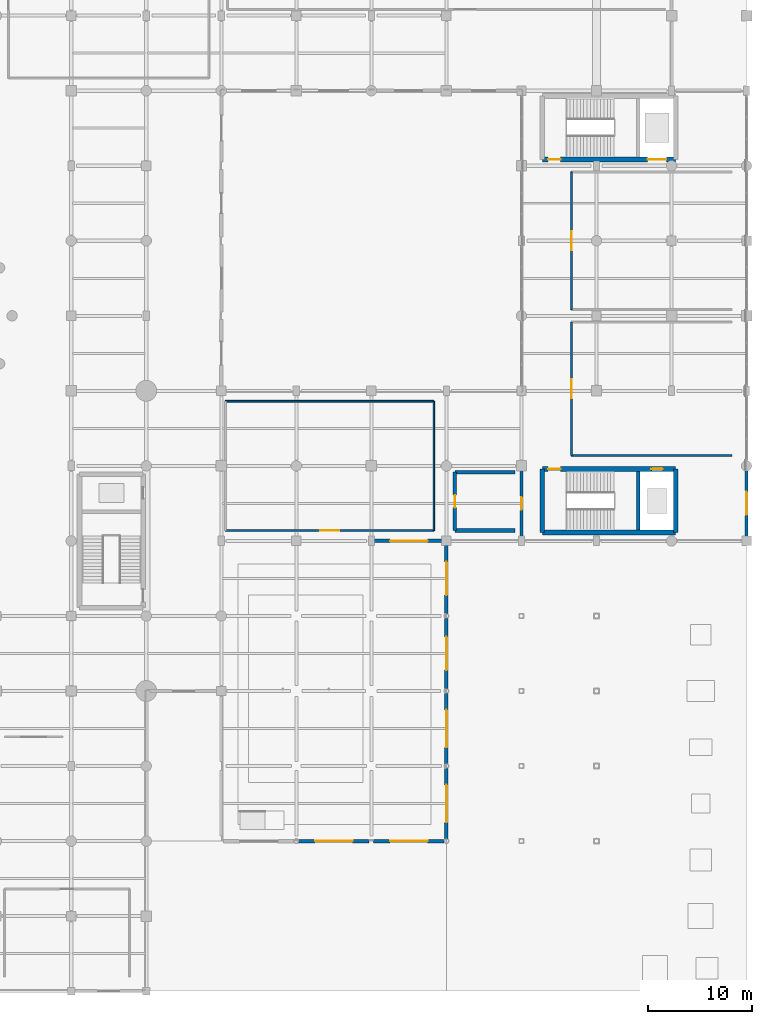
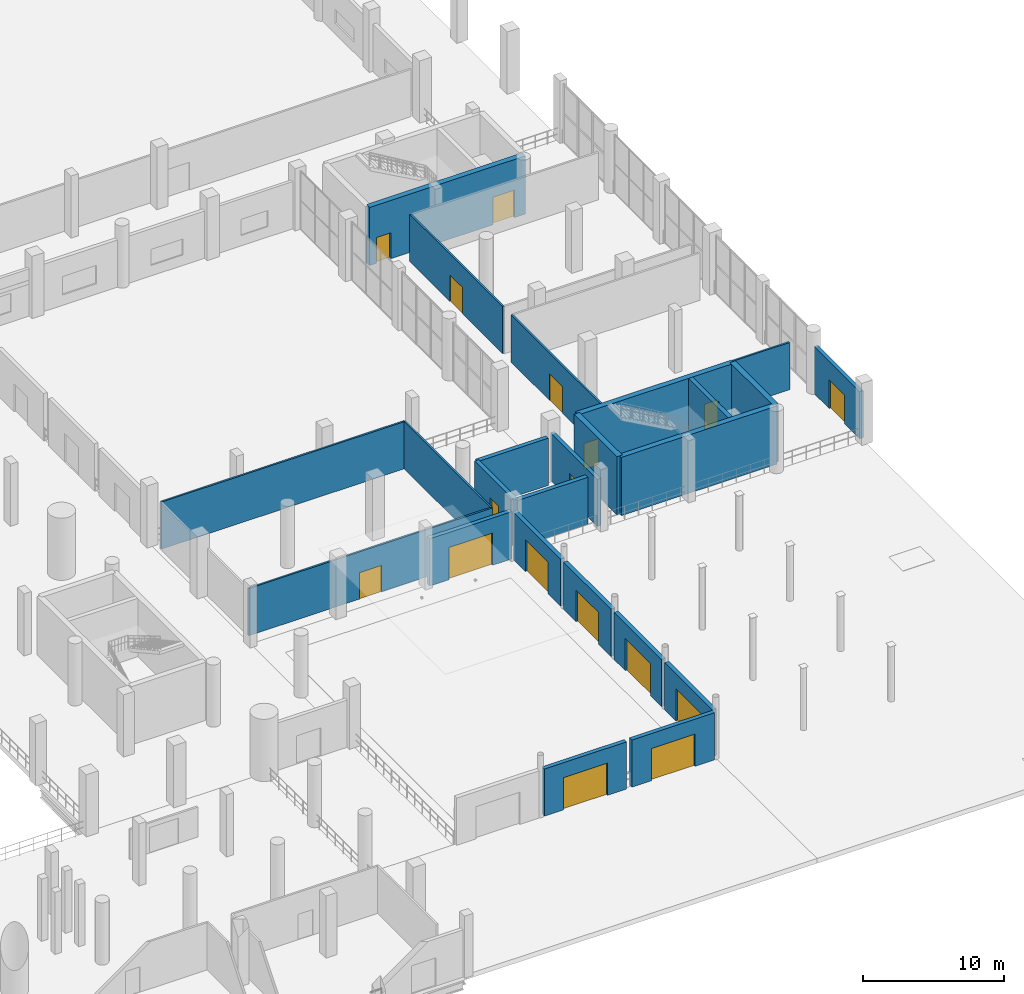
# One storey, part 39 of 58: 24 walls, 17 doors, 17 openings.
"""IFC4 building model written with IfcOpenShell, lengths in metres."""

from ifc_helpers import new_model, si_unit, direction, frame, frame_2d, origin, place, context, subcontext, project, spatial, rectangle, extrude, material, layer, layer_set, type_object, element, fill, save


model = new_model("IFC4")

# Units and contexts
model_context = context("Model", 3, precision=1e-05, world=origin(), true_north=direction((0.0, 1.0)))
body_context = subcontext(model_context, "Body", "Model", "MODEL_VIEW")
ifc_project = project(units=[si_unit("LENGTHUNIT", "METRE"), si_unit("AREAUNIT", "SQUARE_METRE"), si_unit("VOLUMEUNIT", "CUBIC_METRE"), si_unit("PLANEANGLEUNIT", "RADIAN"), si_unit("MASSUNIT", "GRAM", prefix="KILO")], contexts=[model_context])

# Site, building, storey
site_placement = place(None, origin())
site = spatial("IfcSite", under=ifc_project, at=site_placement, CompositionType="ELEMENT")
building_placement = place(site_placement, origin())
building = spatial("IfcBuilding", under=site, at=building_placement, Name="Qandorah Velis Arena", CompositionType="ELEMENT")
storey_placement = place(building_placement, origin())
storey = spatial("IfcBuildingStorey", under=building, at=storey_placement, Name="L00", CompositionType="ELEMENT", Elevation=0.0)

# Wall, opening, door
ifc_material_1 = material(Name="Precast concrete C40/50", Category="concrete")
ifc_layer_1 = layer(ifc_material_1, 0.31005859375)
ifc_layer_set_1 = layer_set([ifc_layer_1], Name="Precast concrete C40/50")
wall_type_1 = type_object("IfcWallType", Name="ARC-WAL-EXT310", PredefinedType="SOLIDWALL", material=ifc_layer_set_1)
wall_1_placement = place(storey_placement, frame((151.199951171875, 43.449951171875, 0.0), z_axis=(0.0, 0.0, 1.0), x_axis=(0.0, 1.0, 0.0)))
wall_1 = element("IfcWall", 1, at=wall_1_placement, inside=storey, type_object=wall_type_1, Name="Fire Command Centre exterior wall", PredefinedType="SOLIDWALL", context=body_context, shape_type="SweptSolid", body=[
    extrude(rectangle(XDim=6.699951171875, YDim=0.31005859375, at=frame_2d((3.35009765625, 0.0))), origin(), (0.0, 0.0, 1.0), 4.10009765625),
])
opening_1_placement = place(wall_1_placement, frame((2.75, 0.0, 0.0)))
opening_1 = element("IfcOpeningElement", 2, at=opening_1_placement, cuts=wall_1, Name="Opening FD3", PredefinedType="OPENING", context=body_context, shape_type="SweptSolid", body=[
    extrude(rectangle(XDim=1.199951171875, YDim=2.25, at=frame_2d((0.60009765625, 1.125))), frame((0.0, 0.1650390625, 0.0), z_axis=(0.0, -1.0, 0.0), x_axis=(1.0, 0.0, 0.0)), (0.0, 0.0, 1.0), 0.330078125),
])
ifc_material_2 = material(Name="Insulated fire-rated steel door", Category="steel")
door_type_1 = type_object("IfcDoorType", Name="ARC-DR-FCC1200", OperationType="NOTDEFINED", PredefinedType="DOOR", material=ifc_material_2)
door_1_placement = place(opening_1_placement, frame((1.199951171875, 0.0, 0.0), z_axis=(0.0, 0.0, 1.0), x_axis=(-1.0, 0.0, 0.0)))
door_1 = element("IfcDoor", 3, at=door_1_placement, inside=storey, type_object=door_type_1, Name="Fire Command Centre exterior entrance door", OperationType="SINGLE_SWING_RIGHT", OverallHeight=2.25, OverallWidth=1.199951171875, PredefinedType="DOOR", context=body_context, shape_type="SweptSolid", body=[
    extrude(rectangle(XDim=1.199951171875, YDim=2.25, at=frame_2d((0.60009765625, 1.125))), frame((0.0, 0.02490234375, 0.0), z_axis=(0.0, -1.0, 0.0), x_axis=(1.0, 0.0, 0.0)), (0.0, 0.0, 1.0), 0.050048828125),
])
fill(opening_1, door_1)

wall_2_placement = place(storey_placement, frame((172.800048828125, 43.550048828125, 0.0), z_axis=(0.0, 0.0, 1.0), x_axis=(0.0, 1.0, 0.0)))
wall_2 = element("IfcWall", 4, at=wall_2_placement, inside=storey, type_object=wall_type_1, Name="Perimeter concourse exit wall G26", PredefinedType="SOLIDWALL", context=body_context, shape_type="SweptSolid", body=[
    extrude(rectangle(XDim=6.5, YDim=0.31005859375, at=frame_2d((3.25, 0.0))), origin(), (0.0, 0.0, 1.0), 4.10009765625),
])
opening_2_placement = place(wall_2_placement, frame((2.14990234375, 0.0, 0.0)))
opening_2 = element("IfcOpeningElement", 5, at=opening_2_placement, cuts=wall_2, Name="Opening G26", PredefinedType="OPENING", context=body_context, shape_type="SweptSolid", body=[
    extrude(rectangle(XDim=2.199951171875, YDim=2.5, at=frame_2d((1.10009765625, 1.25))), frame((0.0, 0.1650390625, 0.0), z_axis=(0.0, -1.0, 0.0), x_axis=(1.0, 0.0, 0.0)), (0.0, 0.0, 1.0), 0.330078125),
])
ifc_material_3 = material(Name="Insulated galvanized steel exit door", Category="steel")
door_type_2 = type_object("IfcDoorType", Name="ARC-DR-EXT2200", OperationType="NOTDEFINED", PredefinedType="DOOR", material=ifc_material_3)
door_2_placement = place(opening_2_placement, frame((2.199951171875, 0.0, 0.0), z_axis=(0.0, 0.0, 1.0), x_axis=(-1.0, 0.0, 0.0)))
door_2 = element("IfcDoor", 6, at=door_2_placement, inside=storey, type_object=door_type_2, Name="Pedestrian exit door G26", OperationType="SINGLE_SWING_LEFT", OverallHeight=2.5, OverallWidth=2.199951171875, PredefinedType="DOOR", context=body_context, shape_type="SweptSolid", body=[
    extrude(rectangle(XDim=2.199951171875, YDim=2.5, at=frame_2d((1.10009765625, 1.25))), frame((0.0, 0.02490234375, 0.0), z_axis=(0.0, -1.0, 0.0), x_axis=(1.0, 0.0, 0.0)), (0.0, 0.0, 1.0), 0.050048828125),
])
fill(opening_2, door_2)

ifc_layer_2 = layer(ifc_material_1, 0.340087890625)
ifc_layer_set_2 = layer_set([ifc_layer_2], Name="Precast concrete C40/50")
wall_type_2 = type_object("IfcWallType", Name="ARC-WAL-EXT340", PredefinedType="SOLIDWALL", material=ifc_layer_set_2)
wall_3_placement = place(storey_placement, frame((129.820068359375, 14.39990234375, 0.0), z_axis=(0.0, 0.0, 1.0), x_axis=(1.0, 0.0, 0.0)))
wall_3 = element("IfcWall", 7, at=wall_3_placement, inside=storey, type_object=wall_type_2, Name="Arrival foyer entrance portal wall 2", PredefinedType="SOLIDWALL", context=body_context, shape_type="SweptSolid", body=[
    extrude(rectangle(XDim=6.760009765625, YDim=0.340087890625, at=frame_2d((3.3798828125, 0.0))), origin(), (0.0, 0.0, 1.0), 4.10009765625),
])
opening_3_placement = place(wall_3_placement, frame((1.580078125, 0.0, 0.0)))
opening_3 = element("IfcOpeningElement", 8, at=opening_3_placement, cuts=wall_3, Name="Opening E2", PredefinedType="OPENING", context=body_context, shape_type="SweptSolid", body=[
    extrude(rectangle(XDim=3.60009765625, YDim=2.800048828125, at=frame_2d((1.800048828125, 1.39990234375))), frame((0.0, 0.18017578125, 0.0), z_axis=(0.0, -1.0, 0.0), x_axis=(1.0, 0.0, 0.0)), (0.0, 0.0, 1.0), 0.360107421875),
])
ifc_material_4 = material(Name="Champagne-bronze glazed aluminium portal", Category="aluminium")
door_type_3 = type_object("IfcDoorType", Name="ARC-DR-ENT3600", OperationType="NOTDEFINED", PredefinedType="DOOR", material=ifc_material_4)
door_3_placement = place(opening_3_placement, frame((3.60009765625, 0.0, 0.0), z_axis=(0.0, 0.0, 1.0), x_axis=(-1.0, 0.0, 0.0)))
door_3 = element("IfcDoor", 9, at=door_3_placement, inside=storey, type_object=door_type_3, Name="Main entrance E2", OperationType="SINGLE_SWING_RIGHT", OverallHeight=2.800048828125, OverallWidth=3.60009765625, PredefinedType="DOOR", context=body_context, shape_type="SweptSolid", body=[
    extrude(rectangle(XDim=3.60009765625, YDim=2.800048828125, at=frame_2d((1.800048828125, 1.39990234375))), frame((0.0, 0.02490234375, 0.0), z_axis=(0.0, -1.0, 0.0), x_axis=(1.0, 0.0, 0.0)), (0.0, 0.0, 1.0), 0.050048828125),
])
fill(opening_3, door_3)

wall_4_placement = place(storey_placement, frame((137.02001953125, 14.39990234375, 0.0), z_axis=(0.0, 0.0, 1.0), x_axis=(1.0, 0.0, 0.0)))
wall_4 = element("IfcWall", 10, at=wall_4_placement, inside=storey, type_object=wall_type_2, Name="Arrival foyer entrance portal wall 3", PredefinedType="SOLIDWALL", context=body_context, shape_type="SweptSolid", body=[
    extrude(rectangle(XDim=6.760009765625, YDim=0.340087890625, at=frame_2d((3.3798828125, 0.0))), origin(), (0.0, 0.0, 1.0), 4.10009765625),
])
opening_4_placement = place(wall_4_placement, frame((1.580078125, 0.0, 0.0)))
opening_4 = element("IfcOpeningElement", 11, at=opening_4_placement, cuts=wall_4, Name="Opening E3", PredefinedType="OPENING", context=body_context, shape_type="SweptSolid", body=[
    extrude(rectangle(XDim=3.60009765625, YDim=2.800048828125, at=frame_2d((1.800048828125, 1.39990234375))), frame((0.0, 0.18017578125, 0.0), z_axis=(0.0, -1.0, 0.0), x_axis=(1.0, 0.0, 0.0)), (0.0, 0.0, 1.0), 0.360107421875),
])
door_4_placement = place(opening_4_placement, frame((3.60009765625, 0.0, 0.0), z_axis=(0.0, 0.0, 1.0), x_axis=(-1.0, 0.0, 0.0)))
door_4 = element("IfcDoor", 12, at=door_4_placement, inside=storey, type_object=door_type_3, Name="Main entrance E3", OperationType="SINGLE_SWING_LEFT", OverallHeight=2.800048828125, OverallWidth=3.60009765625, PredefinedType="DOOR", context=body_context, shape_type="SweptSolid", body=[
    extrude(rectangle(XDim=3.60009765625, YDim=2.800048828125, at=frame_2d((1.800048828125, 1.39990234375))), frame((0.0, 0.02490234375, 0.0), z_axis=(0.0, -1.0, 0.0), x_axis=(1.0, 0.0, 0.0)), (0.0, 0.0, 1.0), 0.050048828125),
])
fill(opening_4, door_4)

wall_5_placement = place(storey_placement, frame((137.02001953125, 43.199951171875, 0.0), z_axis=(0.0, 0.0, 1.0), x_axis=(1.0, 0.0, 0.0)))
wall_5 = element("IfcWall", 13, at=wall_5_placement, inside=storey, type_object=wall_type_2, Name="Arrival foyer entrance portal wall 4", PredefinedType="SOLIDWALL", context=body_context, shape_type="SweptSolid", body=[
    extrude(rectangle(XDim=6.760009765625, YDim=0.340087890625, at=frame_2d((3.3798828125, 0.0))), origin(), (0.0, 0.0, 1.0), 4.10009765625),
])
opening_5_placement = place(wall_5_placement, frame((1.580078125, 0.0, 0.0)))
opening_5 = element("IfcOpeningElement", 14, at=opening_5_placement, cuts=wall_5, Name="Opening E4", PredefinedType="OPENING", context=body_context, shape_type="SweptSolid", body=[
    extrude(rectangle(XDim=3.60009765625, YDim=2.800048828125, at=frame_2d((1.800048828125, 1.39990234375))), frame((0.0, 0.18017578125, 0.0), z_axis=(0.0, -1.0, 0.0), x_axis=(1.0, 0.0, 0.0)), (0.0, 0.0, 1.0), 0.360107421875),
])
door_5_placement = place(opening_5_placement, origin())
door_5 = element("IfcDoor", 15, at=door_5_placement, inside=storey, type_object=door_type_3, Name="Main entrance E4", OperationType="SINGLE_SWING_RIGHT", OverallHeight=2.800048828125, OverallWidth=3.60009765625, PredefinedType="DOOR", context=body_context, shape_type="SweptSolid", body=[
    extrude(rectangle(XDim=3.60009765625, YDim=2.800048828125, at=frame_2d((1.800048828125, 1.39990234375))), frame((0.0, 0.02490234375, 0.0), z_axis=(0.0, -1.0, 0.0), x_axis=(1.0, 0.0, 0.0)), (0.0, 0.0, 1.0), 0.050048828125),
])
fill(opening_5, door_5)

wall_6_placement = place(storey_placement, frame((144.0, 14.6201171875, 0.0), z_axis=(0.0, 0.0, 1.0), x_axis=(0.0, 1.0, 0.0)))
wall_6 = element("IfcWall", 16, at=wall_6_placement, inside=storey, type_object=wall_type_2, Name="Arrival foyer entrance portal wall 5", PredefinedType="SOLIDWALL", context=body_context, shape_type="SweptSolid", body=[
    extrude(rectangle(XDim=6.759765625, YDim=0.340087890625, at=frame_2d((3.3798828125, 0.0))), origin(), (0.0, 0.0, 1.0), 4.10009765625),
])
opening_6_placement = place(wall_6_placement, frame((1.580078125, 0.0, 0.0)))
opening_6 = element("IfcOpeningElement", 17, at=opening_6_placement, cuts=wall_6, Name="Opening E5", PredefinedType="OPENING", context=body_context, shape_type="SweptSolid", body=[
    extrude(rectangle(XDim=3.60009765625, YDim=2.800048828125, at=frame_2d((1.800048828125, 1.39990234375))), frame((0.0, 0.18017578125, 0.0), z_axis=(0.0, -1.0, 0.0), x_axis=(1.0, 0.0, 0.0)), (0.0, 0.0, 1.0), 0.360107421875),
])
door_6_placement = place(opening_6_placement, frame((3.60009765625, 0.0, 0.0), z_axis=(0.0, 0.0, 1.0), x_axis=(-1.0, 0.0, 0.0)))
door_6 = element("IfcDoor", 18, at=door_6_placement, inside=storey, type_object=door_type_3, Name="Main entrance E5", OperationType="SINGLE_SWING_LEFT", OverallHeight=2.800048828125, OverallWidth=3.60009765625, PredefinedType="DOOR", context=body_context, shape_type="SweptSolid", body=[
    extrude(rectangle(XDim=3.60009765625, YDim=2.800048828125, at=frame_2d((1.800048828125, 1.39990234375))), frame((0.0, 0.02490234375, 0.0), z_axis=(0.0, -1.0, 0.0), x_axis=(1.0, 0.0, 0.0)), (0.0, 0.0, 1.0), 0.050048828125),
])
fill(opening_6, door_6)

wall_7_placement = place(storey_placement, frame((144.0, 21.820068359375, 0.0), z_axis=(0.0, 0.0, 1.0), x_axis=(0.0, 1.0, 0.0)))
wall_7 = element("IfcWall", 19, at=wall_7_placement, inside=storey, type_object=wall_type_2, Name="Arrival foyer entrance portal wall 6", PredefinedType="SOLIDWALL", context=body_context, shape_type="SweptSolid", body=[
    extrude(rectangle(XDim=6.760009765625, YDim=0.340087890625, at=frame_2d((3.3798828125, 0.0))), origin(), (0.0, 0.0, 1.0), 4.10009765625),
])
opening_7_placement = place(wall_7_placement, frame((1.580078125, 0.0, 0.0)))
opening_7 = element("IfcOpeningElement", 20, at=opening_7_placement, cuts=wall_7, Name="Opening E6", PredefinedType="OPENING", context=body_context, shape_type="SweptSolid", body=[
    extrude(rectangle(XDim=3.60009765625, YDim=2.800048828125, at=frame_2d((1.800048828125, 1.39990234375))), frame((0.0, 0.18017578125, 0.0), z_axis=(0.0, -1.0, 0.0), x_axis=(1.0, 0.0, 0.0)), (0.0, 0.0, 1.0), 0.360107421875),
])
door_7_placement = place(opening_7_placement, frame((3.60009765625, 0.0, 0.0), z_axis=(0.0, 0.0, 1.0), x_axis=(-1.0, 0.0, 0.0)))
door_7 = element("IfcDoor", 21, at=door_7_placement, inside=storey, type_object=door_type_3, Name="Main entrance E6", OperationType="SINGLE_SWING_RIGHT", OverallHeight=2.800048828125, OverallWidth=3.60009765625, PredefinedType="DOOR", context=body_context, shape_type="SweptSolid", body=[
    extrude(rectangle(XDim=3.60009765625, YDim=2.800048828125, at=frame_2d((1.800048828125, 1.39990234375))), frame((0.0, 0.02490234375, 0.0), z_axis=(0.0, -1.0, 0.0), x_axis=(1.0, 0.0, 0.0)), (0.0, 0.0, 1.0), 0.050048828125),
])
fill(opening_7, door_7)

wall_8_placement = place(storey_placement, frame((144.0, 29.02001953125, 0.0), z_axis=(0.0, 0.0, 1.0), x_axis=(0.0, 1.0, 0.0)))
wall_8 = element("IfcWall", 22, at=wall_8_placement, inside=storey, type_object=wall_type_2, Name="Arrival foyer entrance portal wall 7", PredefinedType="SOLIDWALL", context=body_context, shape_type="SweptSolid", body=[
    extrude(rectangle(XDim=6.760009765625, YDim=0.340087890625, at=frame_2d((3.3798828125, 0.0))), origin(), (0.0, 0.0, 1.0), 4.10009765625),
])
opening_8_placement = place(wall_8_placement, frame((1.780029296875, 0.0, 0.0)))
opening_8 = element("IfcOpeningElement", 23, at=opening_8_placement, cuts=wall_8, Name="Opening E7", PredefinedType="OPENING", context=body_context, shape_type="SweptSolid", body=[
    extrude(rectangle(XDim=3.199951171875, YDim=2.75, at=frame_2d((1.60009765625, 1.375))), frame((0.0, 0.18017578125, 0.0), z_axis=(0.0, -1.0, 0.0), x_axis=(1.0, 0.0, 0.0)), (0.0, 0.0, 1.0), 0.360107421875),
])
door_type_4 = type_object("IfcDoorType", Name="ARC-DR-ENT3200", OperationType="NOTDEFINED", PredefinedType="DOOR", material=ifc_material_4)
door_8_placement = place(opening_8_placement, frame((3.199951171875, 0.0, 0.0), z_axis=(0.0, 0.0, 1.0), x_axis=(-1.0, 0.0, 0.0)))
door_8 = element("IfcDoor", 24, at=door_8_placement, inside=storey, type_object=door_type_4, Name="Main entrance E7", OperationType="SINGLE_SWING_LEFT", OverallHeight=2.75, OverallWidth=3.199951171875, PredefinedType="DOOR", context=body_context, shape_type="SweptSolid", body=[
    extrude(rectangle(XDim=3.199951171875, YDim=2.75, at=frame_2d((1.60009765625, 1.375))), frame((0.0, 0.02490234375, 0.0), z_axis=(0.0, -1.0, 0.0), x_axis=(1.0, 0.0, 0.0)), (0.0, 0.0, 1.0), 0.050048828125),
])
fill(opening_8, door_8)

wall_9_placement = place(storey_placement, frame((144.0, 36.219970703125, 0.0), z_axis=(0.0, 0.0, 1.0), x_axis=(0.0, 1.0, 0.0)))
wall_9 = element("IfcWall", 25, at=wall_9_placement, inside=storey, type_object=wall_type_2, Name="Arrival foyer entrance portal wall 8", PredefinedType="SOLIDWALL", context=body_context, shape_type="SweptSolid", body=[
    extrude(rectangle(XDim=6.760009765625, YDim=0.340087890625, at=frame_2d((3.3798828125, 0.0))), origin(), (0.0, 0.0, 1.0), 4.10009765625),
])
opening_9_placement = place(wall_9_placement, frame((1.780029296875, 0.0, 0.0)))
opening_9 = element("IfcOpeningElement", 26, at=opening_9_placement, cuts=wall_9, Name="Opening E8", PredefinedType="OPENING", context=body_context, shape_type="SweptSolid", body=[
    extrude(rectangle(XDim=3.199951171875, YDim=2.75, at=frame_2d((1.60009765625, 1.375))), frame((0.0, 0.18017578125, 0.0), z_axis=(0.0, -1.0, 0.0), x_axis=(1.0, 0.0, 0.0)), (0.0, 0.0, 1.0), 0.360107421875),
])
door_9_placement = place(opening_9_placement, frame((3.199951171875, 0.0, 0.0), z_axis=(0.0, 0.0, 1.0), x_axis=(-1.0, 0.0, 0.0)))
door_9 = element("IfcDoor", 27, at=door_9_placement, inside=storey, type_object=door_type_4, Name="Main entrance E8", OperationType="SINGLE_SWING_RIGHT", OverallHeight=2.75, OverallWidth=3.199951171875, PredefinedType="DOOR", context=body_context, shape_type="SweptSolid", body=[
    extrude(rectangle(XDim=3.199951171875, YDim=2.75, at=frame_2d((1.60009765625, 1.375))), frame((0.0, 0.02490234375, 0.0), z_axis=(0.0, -1.0, 0.0), x_axis=(1.0, 0.0, 0.0)), (0.0, 0.0, 1.0), 0.050048828125),
])
fill(opening_9, door_9)

ifc_material_5 = material(Name="Concrete C35/45", Category="concrete")
ifc_layer_3 = layer(ifc_material_5, 0.14990234375)
ifc_layer_set_3 = layer_set([ifc_layer_3], Name="Concrete C35/45")
wall_type_3 = type_object("IfcWallType", Name="ARC-WAL-PART150", PredefinedType="PARTITIONING", material=ifc_layer_set_3)
wall_10_placement = place(storey_placement, frame((122.800048828125, 44.199951171875, 0.0), z_axis=(0.0, 0.0, 1.0), x_axis=(1.0, 0.0, 0.0)))
wall_10 = element("IfcWall", 28, at=wall_10_placement, inside=storey, type_object=wall_type_3, Name="Interior partition L00-TCK (S)", PredefinedType="PARTITIONING", context=body_context, shape_type="SweptSolid", body=[
    extrude(rectangle(XDim=20.0, YDim=0.14990234375, at=frame_2d((10.0, 0.0))), origin(), (0.0, 0.0, 1.0), 4.10009765625),
])
opening_10_placement = place(wall_10_placement, frame((9.10009765625, 0.0, 0.0)))
opening_10 = element("IfcOpeningElement", 29, at=opening_10_placement, cuts=wall_10, Name="Opening D3", PredefinedType="OPENING", context=body_context, shape_type="SweptSolid", body=[
    extrude(rectangle(XDim=1.800048828125, YDim=2.300048828125, at=frame_2d((0.89990234375, 1.14990234375))), frame((0.0, 0.0849609375, 0.0), z_axis=(0.0, -1.0, 0.0), x_axis=(1.0, 0.0, 0.0)), (0.0, 0.0, 1.0), 0.169921875),
])
ifc_material_6 = material(Name="Double-leaf acoustic timber door", Category="wood")
door_type_5 = type_object("IfcDoorType", Name="ARC-DR-DBL1800", OperationType="NOTDEFINED", PredefinedType="DOOR", material=ifc_material_6)
door_10_placement = place(opening_10_placement, frame((1.800048828125, 0.0, 0.0), z_axis=(0.0, 0.0, 1.0), x_axis=(-1.0, 0.0, 0.0)))
door_10 = element("IfcDoor", 30, at=door_10_placement, inside=storey, type_object=door_type_5, Name="Door L00-TCK", OperationType="DOUBLE_DOOR_SINGLE_SWING", OverallHeight=2.300048828125, OverallWidth=1.800048828125, PredefinedType="DOOR", context=body_context, shape_type="SweptSolid", body=[
    extrude(rectangle(XDim=1.800048828125, YDim=2.300048828125, at=frame_2d((0.89990234375, 1.14990234375))), frame((0.0, 0.02490234375, 0.0), z_axis=(0.0, -1.0, 0.0), x_axis=(1.0, 0.0, 0.0)), (0.0, 0.0, 1.0), 0.050048828125),
])
fill(opening_10, door_10)

# Walls
wall_11_placement = place(storey_placement, frame((142.800048828125, 44.199951171875, 0.0), z_axis=(0.0, 0.0, 1.0), x_axis=(0.0, 1.0, 0.0)))
element("IfcWall", 31, at=wall_11_placement, inside=storey, type_object=wall_type_3, Name="Interior partition L00-TCK (E)", PredefinedType="PARTITIONING", context=body_context, shape_type="SweptSolid", body=[
    extrude(rectangle(XDim=12.400146484375, YDim=0.14990234375, at=frame_2d((6.2001953125, 0.0))), origin(), (0.0, 0.0, 1.0), 4.10009765625),
])
wall_12_placement = place(storey_placement, frame((142.800048828125, 56.60009765625, 0.0), z_axis=(0.0, 0.0, 1.0), x_axis=(-1.0, 0.0, 0.0)))
element("IfcWall", 32, at=wall_12_placement, inside=storey, type_object=wall_type_3, Name="Interior partition L00-TCK (N)", PredefinedType="PARTITIONING", context=body_context, shape_type="SweptSolid", body=[
    extrude(rectangle(XDim=20.0, YDim=0.14990234375, at=frame_2d((10.0, 0.0))), origin(), (0.0, 0.0, 1.0), 4.10009765625),
])
wall_13_placement = place(storey_placement, frame((156.0, 51.39990234375, 0.0), z_axis=(0.0, 0.0, 1.0), x_axis=(1.0, 0.0, 0.0)))
element("IfcWall", 33, at=wall_13_placement, inside=storey, type_object=wall_type_3, Name="Interior partition L00-CAFE (S)", PredefinedType="PARTITIONING", context=body_context, shape_type="SweptSolid", body=[
    extrude(rectangle(XDim=15.39990234375, YDim=0.14990234375, at=frame_2d((7.699951171875, 0.0))), origin(), (0.0, 0.0, 1.0), 4.10009765625),
])

# Wall, opening, door
wall_14_placement = place(storey_placement, frame((156.0, 64.199951171875, 0.0), z_axis=(0.0, 0.0, 1.0), x_axis=(0.0, -1.0, 0.0)))
wall_14 = element("IfcWall", 34, at=wall_14_placement, inside=storey, type_object=wall_type_3, Name="Interior partition L00-CAFE (W)", PredefinedType="PARTITIONING", context=body_context, shape_type="SweptSolid", body=[
    extrude(rectangle(XDim=12.800048828125, YDim=0.14990234375, at=frame_2d((6.39990234375, 0.0))), origin(), (0.0, 0.0, 1.0), 4.10009765625),
])
opening_11_placement = place(wall_14_placement, frame((5.5, 0.0, 0.0)))
opening_11 = element("IfcOpeningElement", 35, at=opening_11_placement, cuts=wall_14, Name="Opening D3", PredefinedType="OPENING", context=body_context, shape_type="SweptSolid", body=[
    extrude(rectangle(XDim=1.800048828125, YDim=2.300048828125, at=frame_2d((0.89990234375, 1.14990234375))), frame((0.0, 0.0849609375, 0.0), z_axis=(0.0, -1.0, 0.0), x_axis=(1.0, 0.0, 0.0)), (0.0, 0.0, 1.0), 0.169921875),
])
door_11_placement = place(opening_11_placement, frame((1.800048828125, 0.0, 0.0), z_axis=(0.0, 0.0, 1.0), x_axis=(-1.0, 0.0, 0.0)))
door_11 = element("IfcDoor", 36, at=door_11_placement, inside=storey, type_object=door_type_5, Name="Door L00-CAFE", OperationType="DOUBLE_DOOR_SINGLE_SWING", OverallHeight=2.300048828125, OverallWidth=1.800048828125, PredefinedType="DOOR", context=body_context, shape_type="SweptSolid", body=[
    extrude(rectangle(XDim=1.800048828125, YDim=2.300048828125, at=frame_2d((0.89990234375, 1.14990234375))), frame((0.0, 0.02490234375, 0.0), z_axis=(0.0, -1.0, 0.0), x_axis=(1.0, 0.0, 0.0)), (0.0, 0.0, 1.0), 0.050048828125),
])
fill(opening_11, door_11)

wall_15_placement = place(storey_placement, frame((156.0, 78.60009765625, 0.0), z_axis=(0.0, 0.0, 1.0), x_axis=(0.0, -1.0, 0.0)))
wall_15 = element("IfcWall", 37, at=wall_15_placement, inside=storey, type_object=wall_type_3, Name="Interior partition L00-SHOP (W)", PredefinedType="PARTITIONING", context=body_context, shape_type="SweptSolid", body=[
    extrude(rectangle(XDim=13.2001953125, YDim=0.14990234375, at=frame_2d((6.60009765625, 0.0))), origin(), (0.0, 0.0, 1.0), 4.10009765625),
])
opening_12_placement = place(wall_15_placement, frame((5.699951171875, 0.0, 0.0)))
opening_12 = element("IfcOpeningElement", 38, at=opening_12_placement, cuts=wall_15, Name="Opening D3", PredefinedType="OPENING", context=body_context, shape_type="SweptSolid", body=[
    extrude(rectangle(XDim=1.800048828125, YDim=2.300048828125, at=frame_2d((0.89990234375, 1.14990234375))), frame((0.0, 0.0849609375, 0.0), z_axis=(0.0, -1.0, 0.0), x_axis=(1.0, 0.0, 0.0)), (0.0, 0.0, 1.0), 0.169921875),
])
door_12_placement = place(opening_12_placement, frame((1.800048828125, 0.0, 0.0), z_axis=(0.0, 0.0, 1.0), x_axis=(-1.0, 0.0, 0.0)))
door_12 = element("IfcDoor", 39, at=door_12_placement, inside=storey, type_object=door_type_5, Name="Door L00-SHOP", OperationType="DOUBLE_DOOR_SINGLE_SWING", OverallHeight=2.300048828125, OverallWidth=1.800048828125, PredefinedType="DOOR", context=body_context, shape_type="SweptSolid", body=[
    extrude(rectangle(XDim=1.800048828125, YDim=2.300048828125, at=frame_2d((0.89990234375, 1.14990234375))), frame((0.0, 0.02490234375, 0.0), z_axis=(0.0, -1.0, 0.0), x_axis=(1.0, 0.0, 0.0)), (0.0, 0.0, 1.0), 0.050048828125),
])
fill(opening_12, door_12)

# Wall
ifc_material_7 = material(Name="Concrete C40/50", Category="concrete")
ifc_layer_4 = layer(ifc_material_7, 0.449951171875)
ifc_layer_set_4 = layer_set([ifc_layer_4], Name="Concrete C40/50")
wall_type_4 = type_object("IfcWallType", Name="STR-WAL-CORE450", PredefinedType="SHEAR", material=ifc_layer_set_4)
wall_16_placement = place(storey_placement, frame((153.199951171875, 44.0, 0.0), z_axis=(0.0, 0.0, 1.0), x_axis=(1.0, 0.0, 0.0)))
element("IfcWall", 40, at=wall_16_placement, inside=storey, type_object=wall_type_4, Name="Core CORE-07 shear wall S (L00)", PredefinedType="SHEAR", context=body_context, shape_type="SweptSolid", body=[
    extrude(rectangle(XDim=12.800048828125, YDim=0.449951171875, at=frame_2d((6.39990234375, 0.0))), origin(), (0.0, 0.0, 1.0), 5.06005859375),
])

# Wall, openings, doors
wall_17_placement = place(storey_placement, frame((153.199951171875, 50.10009765625, 0.0), z_axis=(0.0, 0.0, 1.0), x_axis=(1.0, 0.0, 0.0)))
wall_17 = element("IfcWall", 41, at=wall_17_placement, inside=storey, type_object=wall_type_4, Name="Core CORE-07 shear wall N (L00)", PredefinedType="SHEAR", context=body_context, shape_type="SweptSolid", body=[
    extrude(rectangle(XDim=12.800048828125, YDim=0.449951171875, at=frame_2d((6.39990234375, 0.0))), origin(), (0.0, 0.0, 1.0), 5.06005859375),
])
opening_13_placement = place(wall_17_placement, frame((0.550048828125, 0.0, 0.0)))
opening_13 = element("IfcOpeningElement", 42, at=opening_13_placement, cuts=wall_17, Name="Opening SD1", PredefinedType="OPENING", context=body_context, shape_type="SweptSolid", body=[
    extrude(rectangle(XDim=1.199951171875, YDim=2.25, at=frame_2d((0.60009765625, 1.125))), frame((0.0, 0.23486328125, 0.0), z_axis=(0.0, -1.0, 0.0), x_axis=(1.0, 0.0, 0.0)), (0.0, 0.0, 1.0), 0.469970703125),
])
opening_14_placement = place(wall_17_placement, frame((10.4580078125, 0.0, 0.0)))
opening_14 = element("IfcOpeningElement", 43, at=opening_14_placement, cuts=wall_17, Name="Opening LD1", PredefinedType="OPENING", context=body_context, shape_type="SweptSolid", body=[
    extrude(rectangle(XDim=1.10009765625, YDim=2.199951171875, at=frame_2d((0.550048828125, 1.10009765625))), frame((0.0, 0.23486328125, 0.0), z_axis=(0.0, -1.0, 0.0), x_axis=(1.0, 0.0, 0.0)), (0.0, 0.0, 1.0), 0.469970703125),
])
ifc_material_8 = material(Name="Stainless steel sliding lift landing door", Category="steel")
door_type_6 = type_object("IfcDoorType", Name="ARC-DR-LD1100", OperationType="NOTDEFINED", PredefinedType="DOOR", material=ifc_material_8)
door_13_placement = place(opening_14_placement, origin())
door_13 = element("IfcDoor", 44, at=door_13_placement, inside=storey, type_object=door_type_6, Name="Lift PL5 sliding landing door (L00)", OperationType="SLIDING_TO_RIGHT", OverallHeight=2.199951171875, OverallWidth=1.10009765625, PredefinedType="DOOR", context=body_context, shape_type="SweptSolid", body=[
    extrude(rectangle(XDim=1.10009765625, YDim=2.199951171875, at=frame_2d((0.550048828125, 1.10009765625))), frame((0.0, 0.02490234375, 0.0), z_axis=(0.0, -1.0, 0.0), x_axis=(1.0, 0.0, 0.0)), (0.0, 0.0, 1.0), 0.050048828125),
])
fill(opening_14, door_13)
ifc_material_9 = material(Name="Self-closing fire-rated stair steel door", Category="steel")
door_type_7 = type_object("IfcDoorType", Name="ARC-DR-ST1200", OperationType="NOTDEFINED", PredefinedType="DOOR", material=ifc_material_9)
door_14_placement = place(opening_13_placement, origin())
door_14 = element("IfcDoor", 45, at=door_14_placement, inside=storey, type_object=door_type_7, Name="Stair ST7 fire door (L00)", OperationType="SINGLE_SWING_LEFT", OverallHeight=2.25, OverallWidth=1.199951171875, PredefinedType="DOOR", context=body_context, shape_type="SweptSolid", body=[
    extrude(rectangle(XDim=1.199951171875, YDim=2.25, at=frame_2d((0.60009765625, 1.125))), frame((0.0, 0.02490234375, 0.0), z_axis=(0.0, -1.0, 0.0), x_axis=(1.0, 0.0, 0.0)), (0.0, 0.0, 1.0), 0.050048828125),
])
fill(opening_13, door_14)

# Walls
for number, where, z_axis, x_axis, name in (
    (46, (153.199951171875, 44.0, 0.0), (0.0, 0.0, 1.0), (0.0, 1.0, 0.0), "Core CORE-07 shear wall W (L00)"),
    (47, (166.0, 44.0, 0.0), (0.0, 0.0, 1.0), (0.0, 1.0, 0.0), "Core CORE-07 shear wall E (L00)"),
):
    element("IfcWall", number, at=place(storey_placement, frame(where, z_axis=z_axis, x_axis=x_axis)), inside=storey, type_object=wall_type_4, Name=name, PredefinedType="SHEAR", context=body_context, shape_type="SweptSolid", body=[
        extrude(rectangle(XDim=6.10009765625, YDim=0.449951171875, at=frame_2d((3.050048828125, 0.0))), origin(), (0.0, 0.0, 1.0), 5.06005859375),
    ])

# Wall, openings, doors
wall_18_placement = place(storey_placement, frame((153.199951171875, 79.800048828125, 0.0), z_axis=(0.0, 0.0, 1.0), x_axis=(1.0, 0.0, 0.0)))
wall_18 = element("IfcWall", 48, at=wall_18_placement, inside=storey, type_object=wall_type_4, Name="Core CORE-08 shear wall S (L00)", PredefinedType="SHEAR", context=body_context, shape_type="SweptSolid", body=[
    extrude(rectangle(XDim=12.800048828125, YDim=0.449951171875, at=frame_2d((6.39990234375, 0.0))), origin(), (0.0, 0.0, 1.0), 5.06005859375),
])
opening_15_placement = place(wall_18_placement, frame((0.550048828125, 0.0, 0.0)))
opening_15 = element("IfcOpeningElement", 49, at=opening_15_placement, cuts=wall_18, Name="Opening SD1", PredefinedType="OPENING", context=body_context, shape_type="SweptSolid", body=[
    extrude(rectangle(XDim=1.199951171875, YDim=2.25, at=frame_2d((0.60009765625, 1.125))), frame((0.0, 0.23486328125, 0.0), z_axis=(0.0, -1.0, 0.0), x_axis=(1.0, 0.0, 0.0)), (0.0, 0.0, 1.0), 0.469970703125),
])
opening_16_placement = place(wall_18_placement, frame((10.10791015625, 0.0, 0.0)))
opening_16 = element("IfcOpeningElement", 50, at=opening_16_placement, cuts=wall_18, Name="Opening LD3", PredefinedType="OPENING", context=body_context, shape_type="SweptSolid", body=[
    extrude(rectangle(XDim=1.800048828125, YDim=2.39990234375, at=frame_2d((0.89990234375, 1.199951171875))), frame((0.0, 0.23486328125, 0.0), z_axis=(0.0, -1.0, 0.0), x_axis=(1.0, 0.0, 0.0)), (0.0, 0.0, 1.0), 0.469970703125),
])
ifc_material_10 = material(Name="Goods stainless bi-parting lift landing door", Category="steel")
door_type_8 = type_object("IfcDoorType", Name="ARC-DR-LD1800", OperationType="NOTDEFINED", PredefinedType="DOOR", material=ifc_material_10)
door_15_placement = place(opening_16_placement, origin())
door_15 = element("IfcDoor", 51, at=door_15_placement, inside=storey, type_object=door_type_8, Name="Lift GL1 sliding landing door (L00)", OperationType="SLIDING_TO_RIGHT", OverallHeight=2.39990234375, OverallWidth=1.800048828125, PredefinedType="DOOR", context=body_context, shape_type="SweptSolid", body=[
    extrude(rectangle(XDim=1.800048828125, YDim=2.39990234375, at=frame_2d((0.89990234375, 1.199951171875))), frame((0.0, 0.02490234375, 0.0), z_axis=(0.0, -1.0, 0.0), x_axis=(1.0, 0.0, 0.0)), (0.0, 0.0, 1.0), 0.050048828125),
])
fill(opening_16, door_15)
door_16_placement = place(opening_15_placement, frame((1.199951171875, 0.0, 0.0), z_axis=(0.0, 0.0, 1.0), x_axis=(-1.0, 0.0, 0.0)))
door_16 = element("IfcDoor", 52, at=door_16_placement, inside=storey, type_object=door_type_7, Name="Stair ST8 fire door (L00)", OperationType="SINGLE_SWING_RIGHT", OverallHeight=2.25, OverallWidth=1.199951171875, PredefinedType="DOOR", context=body_context, shape_type="SweptSolid", body=[
    extrude(rectangle(XDim=1.199951171875, YDim=2.25, at=frame_2d((0.60009765625, 1.125))), frame((0.0, 0.02490234375, 0.0), z_axis=(0.0, -1.0, 0.0), x_axis=(1.0, 0.0, 0.0)), (0.0, 0.0, 1.0), 0.050048828125),
])
fill(opening_15, door_16)

# Walls
ifc_layer_5 = layer(ifc_material_7, 0.35009765625)
ifc_layer_set_5 = layer_set([ifc_layer_5], Name="Concrete C40/50")
wall_type_5 = type_object("IfcWallType", Name="STR-WAL-SH350", PredefinedType="SHEAR", material=ifc_layer_set_5)
wall_19_placement = place(storey_placement, frame((162.416015625, 44.22509765625, 0.0), z_axis=(0.0, 0.0, 1.0), x_axis=(0.0, 1.0, 0.0)))
element("IfcWall", 53, at=wall_19_placement, inside=storey, type_object=wall_type_5, Name="Core CORE-07 shaft divider shear wall (L00)", PredefinedType="SHEAR", context=body_context, shape_type="SweptSolid", body=[
    extrude(rectangle(XDim=5.64990234375, YDim=0.35009765625, at=frame_2d((2.824951171875, 0.0))), origin(), (0.0, 0.0, 1.0), 5.06005859375),
])
for number, where, z_axis, x_axis, name in (
    (54, (144.800048828125, 44.199951171875, 0.0), (0.0, 0.0, 1.0), (1.0, 0.0, 0.0), "Interior partition L00-FCC (S)"),
    (55, (150.60009765625, 49.800048828125, 0.0), (0.0, 0.0, 1.0), (-1.0, 0.0, 0.0), "Interior partition L00-FCC (N)"),
):
    element("IfcWall", number, at=place(storey_placement, frame(where, z_axis=z_axis, x_axis=x_axis)), inside=storey, type_object=wall_type_5, Name=name, PredefinedType="SHEAR", context=body_context, shape_type="SweptSolid", body=[
        extrude(rectangle(XDim=5.800048828125, YDim=0.35009765625, at=frame_2d((2.89990234375, 0.0))), origin(), (0.0, 0.0, 1.0), 4.10009765625),
    ])

# Wall, opening, door
wall_20_placement = place(storey_placement, frame((144.800048828125, 49.800048828125, 0.0), z_axis=(0.0, 0.0, 1.0), x_axis=(0.0, -1.0, 0.0)))
wall_20 = element("IfcWall", 56, at=wall_20_placement, inside=storey, type_object=wall_type_5, Name="Interior partition L00-FCC (W)", PredefinedType="SHEAR", context=body_context, shape_type="SweptSolid", body=[
    extrude(rectangle(XDim=5.60009765625, YDim=0.35009765625, at=frame_2d((2.800048828125, 0.0))), origin(), (0.0, 0.0, 1.0), 4.10009765625),
])
opening_17_placement = place(wall_20_placement, frame((2.199951171875, 0.0, 0.0)))
opening_17 = element("IfcOpeningElement", 57, at=opening_17_placement, cuts=wall_20, Name="Opening FD2", PredefinedType="OPENING", context=body_context, shape_type="SweptSolid", body=[
    extrude(rectangle(XDim=1.199951171875, YDim=2.25, at=frame_2d((0.60009765625, 1.125))), frame((0.0, 0.18505859375, 0.0), z_axis=(0.0, -1.0, 0.0), x_axis=(1.0, 0.0, 0.0)), (0.0, 0.0, 1.0), 0.3701171875),
])
ifc_material_11 = material(Name="Insulated fire-rated single steel door", Category="steel")
door_type_9 = type_object("IfcDoorType", Name="ARC-DR-FD1200", OperationType="NOTDEFINED", PredefinedType="DOOR", material=ifc_material_11)
door_17_placement = place(opening_17_placement, origin())
door_17 = element("IfcDoor", 58, at=door_17_placement, inside=storey, type_object=door_type_9, Name="Door L00-FCC", OperationType="SINGLE_SWING_LEFT", OverallHeight=2.25, OverallWidth=1.199951171875, PredefinedType="DOOR", context=body_context, shape_type="SweptSolid", body=[
    extrude(rectangle(XDim=1.199951171875, YDim=2.25, at=frame_2d((0.60009765625, 1.125))), frame((0.0, 0.02490234375, 0.0), z_axis=(0.0, -1.0, 0.0), x_axis=(1.0, 0.0, 0.0)), (0.0, 0.0, 1.0), 0.050048828125),
])
fill(opening_17, door_17)

save(model, "model.ifc")
